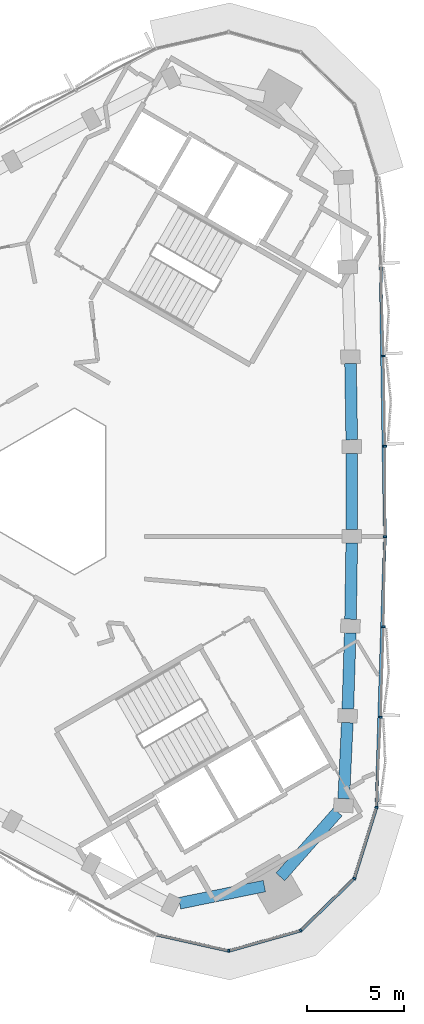
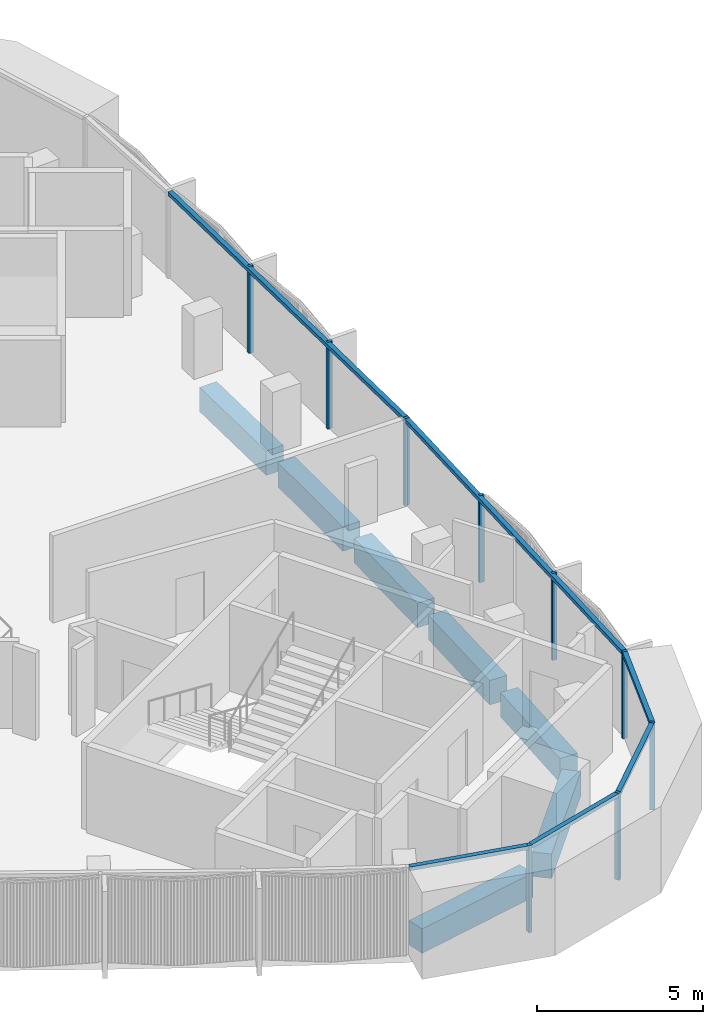
# One storey, part 3 of 13: 15 members, 7 beams, 2 elements without a shape of their own.
"""IFC4 building model written with IfcOpenShell, lengths in metres."""

from ifc_helpers import new_model, si_unit, direction, frame, origin, origin_2d, place, context, subcontext, project, spatial, rectangle, extrude, material, material_profile, profile_set, type_object, element, aggregate, save


model = new_model("IFC4")

# Units and contexts
model_context = context("Model", 3, precision=1e-05, world=origin(), true_north=direction((0.0, 1.0)))
body_context = subcontext(model_context, "Body", "Model", "MODEL_VIEW")
ifc_project = project(units=[si_unit("LENGTHUNIT", "METRE"), si_unit("AREAUNIT", "SQUARE_METRE"), si_unit("VOLUMEUNIT", "CUBIC_METRE"), si_unit("PLANEANGLEUNIT", "RADIAN"), si_unit("MASSUNIT", "GRAM", prefix="KILO")], contexts=[model_context])

# Site, building, storey
site_placement = place(None, origin())
site = spatial("IfcSite", under=ifc_project, at=site_placement, CompositionType="ELEMENT")
building_placement = place(site_placement, origin())
building = spatial("IfcBuilding", under=site, at=building_placement, Name="Tamra Quay Hotel Tower", CompositionType="ELEMENT")
storey_placement = place(building_placement, frame((0.0, 0.0, 298.199951171875)))
storey = spatial("IfcBuildingStorey", under=building, at=storey_placement, Name="L75", CompositionType="ELEMENT", Elevation=298.199951171875)

# Curtain wall, members
ifc_material_1 = material(Name="Aluminium 6063 anodised dark grey", Category="aluminium")
curtain_wall_type_1 = type_object("IfcCurtainWallType", Name="CW1 CURTAIN WALL", PredefinedType="NOTDEFINED", material=ifc_material_1)
curtain_wall_1_placement = place(storey_placement, origin())
curtain_wall_1 = element("IfcCurtainWall", 1, at=curtain_wall_1_placement, inside=storey, type_object=curtain_wall_type_1, Name="CW1 east face L75", PredefinedType="NOTDEFINED")
ifc_material_profile_1 = material_profile(ifc_material_1, rectangle(XDim=0.159912109375, YDim=0.10009765625, at=origin_2d()), Name="MULLION 100X160")
ifc_profile_set_1 = profile_set([ifc_material_profile_1], Name="Aluminium 6063 anodised dark grey")
member_type_1 = type_object("IfcMemberType", Name="MULLION CW1 Z6", PredefinedType="MULLION", material=ifc_profile_set_1)
member_1_placement = place(storey_placement, frame((16.89990234375, -16.210205078125, 0.0), z_axis=(0.0, 0.0, 1.0), x_axis=(0.984739919862, -0.174032440167, 0.0)))
member_1 = element("IfcMember", 2, at=member_1_placement, type_object=member_type_1, Name="CW1 mullion L75.E.1", PredefinedType="MULLION", context=body_context, shape_type="SweptSolid", body=[
    extrude(rectangle(XDim=0.159912109375, YDim=0.10009765625, at=origin_2d()), origin(), (0.0, 0.0, 1.0), 3.199951171875),
])
member_2_placement = place(storey_placement, frame((17.116943359375, -11.580810546875, 0.0), z_axis=(0.0, 0.0, 1.0), x_axis=(0.999237932992, -0.039032720501, 0.0)))
member_2 = element("IfcMember", 3, at=member_2_placement, type_object=member_type_1, Name="CW1 mullion L75.E.2", PredefinedType="MULLION", context=body_context, shape_type="SweptSolid", body=[
    extrude(rectangle(XDim=0.159912109375, YDim=0.10009765625, at=origin_2d()), origin(), (0.0, 0.0, 1.0), 3.199951171875),
])
member_3_placement = place(storey_placement, frame((17.26171875, -6.950439453125, 0.0), z_axis=(0.0, 0.0, 1.0), x_axis=(0.999725296711, -0.023437813791, 0.0)))
member_3 = element("IfcMember", 4, at=member_3_placement, type_object=member_type_1, Name="CW1 mullion L75.E.3", PredefinedType="MULLION", context=body_context, shape_type="SweptSolid", body=[
    extrude(rectangle(XDim=0.159912109375, YDim=0.10009765625, at=origin_2d()), origin(), (0.0, 0.0, 1.0), 3.199951171875),
])
member_4_placement = place(storey_placement, frame((17.333984375, -2.31689453125, 0.0), z_axis=(0.0, 0.0, 1.0), x_axis=(0.999969451196, -0.007816436173, 0.0)))
member_4 = element("IfcMember", 5, at=member_4_placement, type_object=member_type_1, Name="CW1 mullion L75.E.4", PredefinedType="MULLION", context=body_context, shape_type="SweptSolid", body=[
    extrude(rectangle(XDim=0.159912109375, YDim=0.10009765625, at=origin_2d()), origin(), (0.0, 0.0, 1.0), 3.199951171875),
])
member_5_placement = place(storey_placement, frame((17.333984375, 2.31689453125, 0.0), z_axis=(0.0, 0.0, 1.0), x_axis=(0.999969451196, 0.007816436173, 0.0)))
member_5 = element("IfcMember", 6, at=member_5_placement, type_object=member_type_1, Name="CW1 mullion L75.E.5", PredefinedType="MULLION", context=body_context, shape_type="SweptSolid", body=[
    extrude(rectangle(XDim=0.159912109375, YDim=0.10009765625, at=origin_2d()), origin(), (0.0, 0.0, 1.0), 3.199951171875),
])
member_6_placement = place(storey_placement, frame((17.26171875, 6.950439453125, 0.0), z_axis=(0.0, 0.0, 1.0), x_axis=(0.999725296711, 0.023437813791, 0.0)))
member_6 = element("IfcMember", 7, at=member_6_placement, type_object=member_type_1, Name="CW1 mullion L75.E.6", PredefinedType="MULLION", context=body_context, shape_type="SweptSolid", body=[
    extrude(rectangle(XDim=0.159912109375, YDim=0.10009765625, at=origin_2d()), origin(), (0.0, 0.0, 1.0), 3.199951171875),
])

curtain_wall_type_2 = type_object("IfcCurtainWallType", Name="CW3 CURTAIN WALL", PredefinedType="NOTDEFINED", material=ifc_material_1)
curtain_wall_2_placement = place(storey_placement, origin())
curtain_wall_2 = element("IfcCurtainWall", 8, at=curtain_wall_2_placement, inside=storey, type_object=curtain_wall_type_2, Name="CW3 south-west face L75", PredefinedType="NOTDEFINED")
ifc_material_profile_2 = material_profile(ifc_material_1, rectangle(XDim=0.159912109375, YDim=0.10009765625, at=origin_2d()), Name="MULLION 100X160")
ifc_profile_set_2 = profile_set([ifc_material_profile_2], Name="Aluminium 6063 anodised dark grey")
member_type_2 = type_object("IfcMemberType", Name="MULLION CW3 Z6", PredefinedType="MULLION", material=ifc_profile_set_2)
member_7_placement = place(storey_placement, frame((9.325927734375, -23.578857421875, 0.0), z_axis=(0.0, 0.0, 1.0), x_axis=(0.027468865497, -0.999622659521, 0.0)))
member_7 = element("IfcMember", 9, at=member_7_placement, type_object=member_type_2, Name="CW3 mullion L75.SW.9", PredefinedType="MULLION", context=body_context, shape_type="SweptSolid", body=[
    extrude(rectangle(XDim=0.159912109375, YDim=0.10009765625, at=origin_2d()), origin(), (0.0, 0.0, 1.0), 3.199951171875),
])
member_8_placement = place(storey_placement, frame((13.01171875, -22.536865234375, 0.0), z_axis=(0.0, 0.0, 1.0), x_axis=(0.5, -0.866025403784, 0.0)))
member_8 = element("IfcMember", 10, at=member_8_placement, type_object=member_type_2, Name="CW3 mullion L75.SW.10", PredefinedType="MULLION", context=body_context, shape_type="SweptSolid", body=[
    extrude(rectangle(XDim=0.159912109375, YDim=0.10009765625, at=origin_2d()), origin(), (0.0, 0.0, 1.0), 3.199951171875),
])
member_9_placement = place(storey_placement, frame((15.757080078125, -19.865966796875, 0.0), z_axis=(0.0, 0.0, 1.0), x_axis=(0.851964184595, -0.523600065094, 0.0)))
member_9 = element("IfcMember", 11, at=member_9_placement, type_object=member_type_2, Name="CW3 mullion L75.SW.11", PredefinedType="MULLION", context=body_context, shape_type="SweptSolid", body=[
    extrude(rectangle(XDim=0.159912109375, YDim=0.10009765625, at=origin_2d()), origin(), (0.0, 0.0, 1.0), 3.199951171875),
])

# Beams
ifc_material_2 = material(Name="Concrete M60", Category="concrete")
ifc_material_profile_3 = material_profile(ifc_material_2, rectangle(XDim=0.60009765625, YDim=0.89990234375, at=origin_2d()), Name="SPANDREL BEAM RC 600x900")
ifc_profile_set_3 = profile_set([ifc_material_profile_3], Name="Concrete M60")
beam_type = type_object("IfcBeamType", Name="SPANDREL BEAM RC 600x900", PredefinedType="SPANDREL", material=ifc_profile_set_3)
beam_1_placement = place(storey_placement, frame((15.218994140625, -15.767333984375, -0.800048828125), z_axis=(0.04680507522, 0.998904041905, 0.0), x_axis=(-0.998904041905, 0.04680507522, 0.0)))
element("IfcBeam", 12, at=beam_1_placement, inside=storey, type_object=beam_type, Name="BM-SP6-000-L75", PredefinedType="SPANDREL", context=body_context, shape_type="SweptSolid", body=[
    extrude(rectangle(XDim=0.60009765625, YDim=0.89990234375, at=origin_2d()), origin(), (0.0, 0.0, 1.0), 3.906982421875),
])
beam_2_placement = place(storey_placement, frame((15.42919921875, -11.165283203125, -0.800048828125), z_axis=(0.031240604276, 0.999511893198, 0.0), x_axis=(-0.999511893198, 0.031240604276, 0.0)))
element("IfcBeam", 13, at=beam_2_placement, inside=storey, type_object=beam_type, Name="BM-SP6-001-L75", PredefinedType="SPANDREL", context=body_context, shape_type="SweptSolid", body=[
    extrude(rectangle(XDim=0.60009765625, YDim=0.89990234375, at=origin_2d()), origin(), (0.0, 0.0, 1.0), 3.907470703125),
])
beam_3_placement = place(storey_placement, frame((15.567626953125, -6.559814453125, -0.800048828125), z_axis=(0.015623093001, 0.999877952035, 0.0), x_axis=(-0.999877952035, 0.015623093001, 0.0)))
element("IfcBeam", 14, at=beam_3_placement, inside=storey, type_object=beam_type, Name="BM-SP6-002-L75", PredefinedType="SPANDREL", context=body_context, shape_type="SweptSolid", body=[
    extrude(rectangle(XDim=0.60009765625, YDim=0.89990234375, at=origin_2d()), origin(), (0.0, 0.0, 1.0), 3.90673828125),
])
beam_4_placement = place(storey_placement, frame((15.634033203125, -1.95361328125, -0.800048828125), z_axis=(0.0, 1.0, 0.0), x_axis=(-1.0, 0.0, 0.0)))
element("IfcBeam", 15, at=beam_4_placement, inside=storey, type_object=beam_type, Name="BM-SP6-003-L75", PredefinedType="SPANDREL", context=body_context, shape_type="SweptSolid", body=[
    extrude(rectangle(XDim=0.60009765625, YDim=0.89990234375, at=origin_2d()), origin(), (0.0, 0.0, 1.0), 3.9072265625),
])
beam_5_placement = place(storey_placement, frame((15.628662109375, 2.653564453125, -0.800048828125), z_axis=(-0.015623093001, 0.999877952035, 0.0), x_axis=(-0.999877952035, -0.015623093001, 0.0)))
element("IfcBeam", 16, at=beam_5_placement, inside=storey, type_object=beam_type, Name="BM-SP6-004-L75", PredefinedType="SPANDREL", context=body_context, shape_type="SweptSolid", body=[
    extrude(rectangle(XDim=0.60009765625, YDim=0.89990234375, at=origin_2d()), origin(), (0.0, 0.0, 1.0), 3.90673828125),
])
beam_6_placement = place(storey_placement, frame((6.79345703125, -21.1357421875, -0.800048828125), z_axis=(0.980114952618, 0.198430541133, 0.0), x_axis=(-0.198430541133, 0.980114952618, 0.0)))
element("IfcBeam", 17, at=beam_6_placement, inside=storey, type_object=beam_type, Name="BM-SP6-025-L75", PredefinedType="SPANDREL", context=body_context, shape_type="SweptSolid", body=[
    extrude(rectangle(XDim=0.60009765625, YDim=0.89990234375, at=origin_2d()), origin(), (0.0, 0.0, 1.0), 4.441650390625),
])
beam_7_placement = place(storey_placement, frame((11.96728515625, -19.781005859375, -0.800048828125), z_axis=(0.661856103448, 0.749630908066, 0.0), x_axis=(-0.749630908066, 0.661856103448, 0.0)))
element("IfcBeam", 18, at=beam_7_placement, inside=storey, type_object=beam_type, Name="BM-SP6-026-L75", PredefinedType="SPANDREL", context=body_context, shape_type="SweptSolid", body=[
    extrude(rectangle(XDim=0.60009765625, YDim=0.89990234375, at=origin_2d()), origin(), (0.0, 0.0, 1.0), 4.44189453125),
])

# Member
ifc_material_profile_4 = material_profile(ifc_material_1, rectangle(XDim=0.159912109375, YDim=0.139892578125, at=origin_2d()), Name="TRANSOM 160X140")
ifc_profile_set_4 = profile_set([ifc_material_profile_4], Name="Aluminium 6063 anodised dark grey")
member_type_3 = type_object("IfcMemberType", Name="TRANSOM CW1 Z6", PredefinedType="USERDEFINED", material=ifc_profile_set_4)
member_10_placement = place(storey_placement, frame((16.90234375, -16.160400390625, 3.130126953125), z_axis=(0.031224810835, 0.999512386711, 0.0), x_axis=(-0.999512386711, 0.031224810835, 0.0)))
member_10 = element("IfcMember", 19, at=member_10_placement, type_object=member_type_3, Name="CW1 transom L75.E.1", ObjectType="TRANSOM", PredefinedType="USERDEFINED", context=body_context, shape_type="SweptSolid", body=[
    extrude(rectangle(XDim=0.159912109375, YDim=0.139892578125, at=origin_2d()), origin(), (0.0, 0.0, 1.0), 13.80029296875),
])

member_11_placement = place(storey_placement, frame((17.333984375, -2.266845703125, 3.130126953125), z_axis=(-0.015621987524, 0.999877969307, 0.0), x_axis=(-0.999877969307, -0.015621987524, 0.0)))
member_11 = element("IfcMember", 20, at=member_11_placement, type_object=member_type_3, Name="CW1 transom L75.E.4", ObjectType="TRANSOM", PredefinedType="USERDEFINED", context=body_context, shape_type="SweptSolid", body=[
    extrude(rectangle(XDim=0.159912109375, YDim=0.139892578125, at=origin_2d()), origin(), (0.0, 0.0, 1.0), 13.799560546875),
])

aggregate(curtain_wall_1, [member_1, member_10, member_2, member_3, member_4, member_11, member_5, member_6])

ifc_material_profile_5 = material_profile(ifc_material_1, rectangle(XDim=0.159912109375, YDim=0.139892578125, at=origin_2d()), Name="TRANSOM 160X140")
ifc_profile_set_5 = profile_set([ifc_material_profile_5], Name="Aluminium 6063 anodised dark grey")
member_type_4 = type_object("IfcMemberType", Name="TRANSOM CW3 Z6", PredefinedType="USERDEFINED", material=ifc_profile_set_5)
member_12_placement = place(storey_placement, frame((5.63720703125, -22.751708984375, 3.130126953125), z_axis=(0.975757055509, -0.218856502356, 0.0), x_axis=(0.218856502356, 0.975757055509, 0.0)))
member_12 = element("IfcMember", 21, at=member_12_placement, type_object=member_type_4, Name="CW3 transom L75.SW.8", ObjectType="TRANSOM", PredefinedType="USERDEFINED", context=body_context, shape_type="SweptSolid", body=[
    extrude(rectangle(XDim=0.159912109375, YDim=0.139892578125, at=origin_2d()), origin(), (0.0, 0.0, 1.0), 3.730224609375),
])

member_13_placement = place(storey_placement, frame((9.3740234375, -23.5654296875, 3.130126953125), z_axis=(0.9622784918, 0.272066359955, 0.0), x_axis=(-0.272066359955, 0.9622784918, 0.0)))
member_13 = element("IfcMember", 22, at=member_13_placement, type_object=member_type_4, Name="CW3 transom L75.SW.9", ObjectType="TRANSOM", PredefinedType="USERDEFINED", context=body_context, shape_type="SweptSolid", body=[
    extrude(rectangle(XDim=0.159912109375, YDim=0.139892578125, at=origin_2d()), origin(), (0.0, 0.0, 1.0), 3.730224609375),
])

member_14_placement = place(storey_placement, frame((13.047607421875, -22.501953125, 3.130126953125), z_axis=(0.716759527702, 0.697320428102, 0.0), x_axis=(-0.697320428102, 0.716759527702, 0.0)))
member_14 = element("IfcMember", 23, at=member_14_placement, type_object=member_type_4, Name="CW3 transom L75.SW.10", ObjectType="TRANSOM", PredefinedType="USERDEFINED", context=body_context, shape_type="SweptSolid", body=[
    extrude(rectangle(XDim=0.159912109375, YDim=0.139892578125, at=origin_2d()), origin(), (0.0, 0.0, 1.0), 3.72998046875),
])

member_15_placement = place(storey_placement, frame((15.77197265625, -19.818359375, 3.130126953125), z_axis=(0.298383063983, 0.95444619918, 0.0), x_axis=(-0.95444619918, 0.298383063983, 0.0)))
member_15 = element("IfcMember", 24, at=member_15_placement, type_object=member_type_4, Name="CW3 transom L75.SW.11", ObjectType="TRANSOM", PredefinedType="USERDEFINED", context=body_context, shape_type="SweptSolid", body=[
    extrude(rectangle(XDim=0.159912109375, YDim=0.139892578125, at=origin_2d()), origin(), (0.0, 0.0, 1.0), 3.730224609375),
])

aggregate(curtain_wall_2, [member_12, member_7, member_13, member_8, member_14, member_9, member_15])

save(model, "model.ifc")
